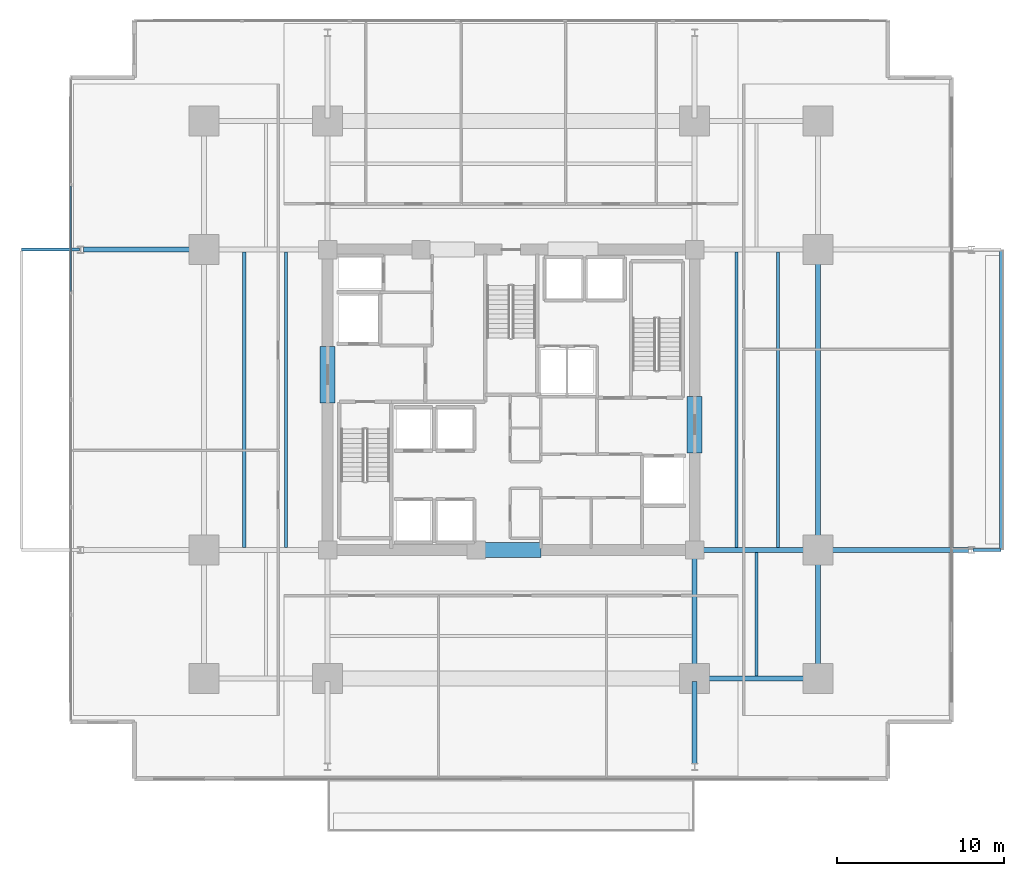
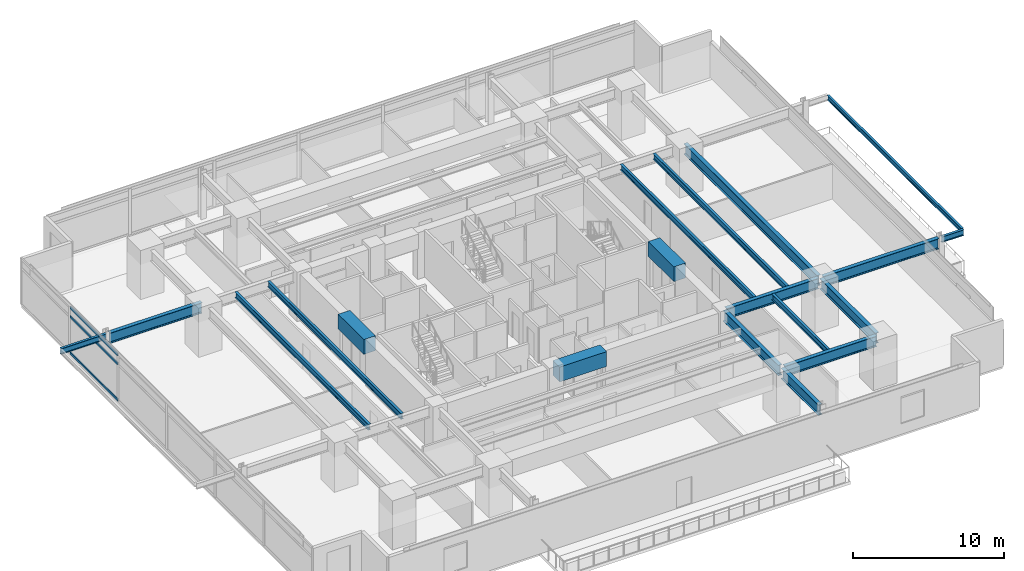
# One storey, part 6 of 24: 19 beams, 3 members, 1 element without a shape of its own.
"""IFC4 building model written with IfcOpenShell, lengths in metres."""

import ifcopenshell
import ifcopenshell.guid

model = None  # the IFC model being written
_history = None  # IfcOwnerHistory: only IFC2X3 demands one
_inside = {}  # id of a spatial element -> (the spatial element, [elements in it])
_under = {}  # id of a project, library or spatial element -> (it, [spatial elements below it])
_declared = {}  # id of a project -> (the project, [libraries it declares])
_typed = {}  # id of a type object -> (the type object, [elements of that type])
_made_of = {}  # id of a material, layer set ... -> (it, [elements and type objects made of it])


def new_model(schema):
    """Start an empty IFC model of exactly this schema.

    Asked for "IFC4X3", IfcOpenShell would pick the latest addendum, in which some entities
    have other attributes; the version numbers below select the first issue.
    IFC2X3 requires an IfcOwnerHistory on every rooted entity: one is made here for all.
    """
    global model, _history
    if schema == "IFC4X3":
        model = ifcopenshell.file(schema_version=(4, 3, 0, 0))
    else:
        model = ifcopenshell.file(schema=schema)
    _inside.clear()
    _under.clear()
    _declared.clear()
    _typed.clear()
    _made_of.clear()
    _history = None
    if model.schema == "IFC2X3":
        org = make("IfcOrganization", Name="unknown")
        user = make(
            "IfcPersonAndOrganization",
            ThePerson=make("IfcPerson", FamilyName="unknown"),
            TheOrganization=org,
        )
        app = make(
            "IfcApplication",
            ApplicationDeveloper=org,
            Version="unknown",
            ApplicationFullName="unknown",
            ApplicationIdentifier="unknown",
        )
        _history = make(
            "IfcOwnerHistory",
            OwningUser=user,
            OwningApplication=app,
            ChangeAction="ADDED",
            CreationDate=0,
        )
    return model


def make(cls, **values):
    """One entity of the class cls with the attributes given. An attribute that is None is left unset."""
    return model.create_entity(
        cls, **{name: value for name, value in values.items() if value is not None}
    )


def rooted(cls, **values):
    """An entity with a GlobalId (a new one), such as an element, a storey or a relation."""
    return make(cls, GlobalId=ifcopenshell.guid.new(), OwnerHistory=_history, **values)


def si_unit(unit_type, name, prefix=None):
    """IfcSIUnit, for example si_unit("LENGTHUNIT", "METRE", prefix="MILLI")."""
    return make("IfcSIUnit", UnitType=unit_type, Prefix=prefix, Name=name)


def assignment(units):
    """IfcUnitAssignment: the units of a project."""
    return None if units is None else make("IfcUnitAssignment", Units=units)


def point(xyz):
    """IfcCartesianPoint."""
    return None if xyz is None else make("IfcCartesianPoint", Coordinates=xyz)


def direction(xyz):
    """IfcDirection."""
    return None if xyz is None else make("IfcDirection", DirectionRatios=xyz)


def frame(location, z_axis=None, x_axis=None):
    """IfcAxis2Placement3D, a coordinate frame: its origin and axes. An axis left out is left unset."""
    return make(
        "IfcAxis2Placement3D",
        Location=point(location),
        Axis=direction(z_axis),
        RefDirection=direction(x_axis),
    )


def frame_2d(location, x_axis=None):
    """IfcAxis2Placement2D, a coordinate frame in the plane: its origin and x axis."""
    return make(
        "IfcAxis2Placement2D", Location=point(location), RefDirection=direction(x_axis)
    )


def origin():
    """The frame at (0, 0, 0) with its axes left unset."""
    return frame((0.0, 0.0, 0.0))


def origin_2d():
    """The frame at (0, 0) in the plane with its x axis left unset."""
    return frame_2d((0.0, 0.0))


def place(relative_to, where):
    """IfcLocalPlacement: puts the frame where relative to a parent placement (None: the world)."""
    return make(
        "IfcLocalPlacement", PlacementRelTo=relative_to, RelativePlacement=where
    )


def context(
    kind, dimensions, precision=None, world=None, true_north=None, identifier=None
):
    """IfcGeometricRepresentationContext, for example the 3D "Model" context."""
    return make(
        "IfcGeometricRepresentationContext",
        ContextIdentifier=identifier,
        ContextType=kind,
        CoordinateSpaceDimension=dimensions,
        Precision=precision,
        WorldCoordinateSystem=world,
        TrueNorth=true_north,
    )


def subcontext(parent, identifier, kind, view, scale=None):
    """IfcGeometricRepresentationSubContext, for example "Body" below "Model"."""
    return make(
        "IfcGeometricRepresentationSubContext",
        ContextIdentifier=identifier,
        ContextType=kind,
        ParentContext=parent,
        TargetScale=scale,
        TargetView=view,
    )


def project(units=None, contexts=None):
    """IfcProject with its units and contexts."""
    return rooted(
        "IfcProject",
        Name="project",
        RepresentationContexts=contexts,
        UnitsInContext=assignment(units),
    )


def spatial(cls, under=None, at=None, **own):
    """A site, building, storey or space (cls), placed at a placement, below another one or the project."""
    s = rooted(cls, ObjectPlacement=at, **own)
    if under is not None:
        _under.setdefault(under.id(), (under, []))[1].append(s)
    return s


def profile(cls, at=None, kind="AREA", **sizes):
    """A parametric profile (cls). Its sizes go by their IFC names, for example OverallWidth=200.0."""
    return make(cls, ProfileType=kind, Position=at, **sizes)


def rectangle(**sizes):
    """IfcRectangleProfileDef."""
    return profile("IfcRectangleProfileDef", **sizes)


def hollow_rectangle(**sizes):
    """IfcRectangleHollowProfileDef."""
    return profile("IfcRectangleHollowProfileDef", **sizes)


def i_section(**sizes):
    """IfcIShapeProfileDef."""
    return profile("IfcIShapeProfileDef", **sizes)


def extrude(swept, where, along, depth):
    """IfcExtrudedAreaSolid: the profile swept, set in the frame where, extruded along a direction by depth."""
    return make(
        "IfcExtrudedAreaSolid",
        SweptArea=swept,
        Position=where,
        ExtrudedDirection=direction(along),
        Depth=depth,
    )


def shape(context_of_items, identifier, shape_type, items):
    """IfcShapeRepresentation: the items that make up one representation, for example the "Body"."""
    return make(
        "IfcShapeRepresentation",
        ContextOfItems=context_of_items,
        RepresentationIdentifier=identifier,
        RepresentationType=shape_type,
        Items=items,
    )


def material(Name=None, Category=None):
    """IfcMaterial."""
    return make("IfcMaterial", Name=Name, Category=Category)


def material_profile(
    of_material, cross_section, Name=None, Category=None, Priority=None
):
    """IfcMaterialProfile: a cross section and its material."""
    return make(
        "IfcMaterialProfile",
        Name=Name,
        Material=of_material,
        Profile=cross_section,
        Priority=Priority,
        Category=Category,
    )


def profile_set(profiles, Name=None, composite=None):
    """IfcMaterialProfileSet."""
    return make(
        "IfcMaterialProfileSet",
        Name=Name,
        MaterialProfiles=profiles,
        CompositeProfile=composite,
    )


def made_of(thing, what):
    """Note that an element or type object is made of a material, layer set ...; save() writes the relation."""
    if what is not None:
        _made_of.setdefault(what.id(), (what, []))[1].append(thing)
    return thing


def type_object(cls, material=None, **own):
    """A type object (cls), such as IfcWallType, which elements share."""
    return made_of(rooted(cls, **own), material)


def element(
    cls,
    number,
    at=None,
    inside=None,
    cuts=None,
    type_object=None,
    material=None,
    context=None,
    identifier="Body",
    shape_type=None,
    held_by="IfcProductDefinitionShape",
    body=None,
    shapes=None,
    **own,
):
    """One element of the class cls, such as IfcWall. Its Tag is "e" and its number.

    at: its placement. inside: the storey or other place that contains it. cuts: it is an
    opening in that element (IfcRelVoidsElement). A single representation is given by context,
    identifier, shape_type and body (its items); several are given by shapes. held_by: the class
    of the entity that holds the representations. save() writes the other relations.
    """
    e = rooted(cls, Tag="e%d" % number, ObjectPlacement=at, **own)
    if body is not None:
        shapes = [shape(context, identifier, shape_type, body)]
    if shapes is not None:
        e.Representation = make(held_by, Representations=shapes)
    if inside is not None:
        _inside.setdefault(inside.id(), (inside, []))[1].append(e)
    if cuts is not None:
        rooted(
            "IfcRelVoidsElement", RelatingBuildingElement=cuts, RelatedOpeningElement=e
        )
    if type_object is not None:
        _typed.setdefault(type_object.id(), (type_object, []))[1].append(e)
    return made_of(e, material)


def aggregate(whole, parts):
    """IfcRelAggregates: a whole, such as a stair, and the parts it consists of."""
    return rooted("IfcRelAggregates", RelatingObject=whole, RelatedObjects=parts)


def save(model, path):
    """Write the relations noted so far, then the file.

    IfcRelAggregates (storeys below a building ...), IfcRelContainedInSpatialStructure (elements
    in a storey), IfcRelDefinesByType, IfcRelAssociatesMaterial and IfcRelDeclares: one each for
    every whole, place, type object, material and project.
    """
    for whole, parts in _under.values():
        aggregate(whole, parts)
    for where, things in _inside.values():
        rooted(
            "IfcRelContainedInSpatialStructure",
            RelatedElements=things,
            RelatingStructure=where,
        )
    for kind, things in _typed.values():
        rooted("IfcRelDefinesByType", RelatedObjects=things, RelatingType=kind)
    for what, things in _made_of.values():
        rooted("IfcRelAssociatesMaterial", RelatedObjects=things, RelatingMaterial=what)
    for by, libraries in _declared.values():
        rooted("IfcRelDeclares", RelatingContext=by, RelatedDefinitions=libraries)
    model.write(path)


model = new_model("IFC4")

# Units and contexts
model_context = context("Model", 3, precision=1e-05, world=origin(), true_north=direction((0.0, 1.0)))
body_context = subcontext(model_context, "Body", "Model", "MODEL_VIEW")
ifc_project = project(units=[si_unit("LENGTHUNIT", "METRE"), si_unit("AREAUNIT", "SQUARE_METRE"), si_unit("VOLUMEUNIT", "CUBIC_METRE"), si_unit("PLANEANGLEUNIT", "RADIAN"), si_unit("MASSUNIT", "GRAM", prefix="KILO")], contexts=[model_context])

# Site, building, storey
site_placement = place(None, origin())
site = spatial("IfcSite", under=ifc_project, at=site_placement, CompositionType="ELEMENT")
building_placement = place(site_placement, origin())
building = spatial("IfcBuilding", under=site, at=building_placement, Name="Kovane Verandah Tower", CompositionType="ELEMENT")
storey_placement = place(building_placement, frame((0.0, 0.0, 95.60009765625)))
storey = spatial("IfcBuildingStorey", under=building, at=storey_placement, Name="L22", CompositionType="ELEMENT", Elevation=95.60009765625)

# Beams
ifc_material_1 = material(Name="Concrete C80/95", Category="concrete")
ifc_material_profile_1 = material_profile(ifc_material_1, rectangle(XDim=0.89990234375, YDim=1.199951171875, at=origin_2d()), Name="RCB900x1200")
ifc_profile_set_1 = profile_set([ifc_material_profile_1], Name="Concrete C80/95")
beam_type_1 = type_object("IfcBeamType", Name="BM-LINTEL-900x1200", PredefinedType="LINTEL", material=ifc_profile_set_1)
beam_1_placement = place(storey_placement, frame((38.199951171875, 18.5, 3.159912109375), z_axis=(1.0, 0.0, 0.0), x_axis=(0.0, 1.0, 0.0)))
element("IfcBeam", 1, at=beam_1_placement, inside=storey, type_object=beam_type_1, Name="L22 Core Coupling Lintel CL-S", PredefinedType="LINTEL", context=body_context, shape_type="SweptSolid", body=[
    extrude(rectangle(XDim=0.89990234375, YDim=1.199951171875, at=origin_2d()), origin(), (0.0, 0.0, 1.0), 3.60009765625),
])
for number, where, z_axis, x_axis, name in (
    (2, (29.0, 27.300048828125, 3.159912109375), (0.0, 1.0, 0.0), (-1.0, 0.0, 0.0), "L22 Core Coupling Lintel CL-W"),
    (3, (51.0, 24.300048828125, 3.159912109375), (0.0, 1.0, 0.0), (-1.0, 0.0, 0.0), "L22 Core Coupling Lintel CL-E"),
):
    element("IfcBeam", number, at=place(storey_placement, frame(where, z_axis=z_axis, x_axis=x_axis)), inside=storey, type_object=beam_type_1, Name=name, PredefinedType="LINTEL", context=body_context, shape_type="SweptSolid", body=[
        extrude(rectangle(XDim=0.89990234375, YDim=1.199951171875, at=origin_2d()), origin(), (0.0, 0.0, 1.0), 3.39990234375),
    ])
ifc_material_2 = material(Name="Steel S355", Category="steel")
ifc_material_profile_2 = material_profile(ifc_material_2, i_section(OverallWidth=0.293701171875, OverallDepth=0.850830078125, WebThickness=0.01611328125, FlangeThickness=0.02685546875, FilletRadius=0.017822265625, at=origin_2d()), Name="UB838x292x226")
ifc_profile_set_2 = profile_set([ifc_material_profile_2], Name="Steel S355")
beam_type_2 = type_object("IfcBeamType", Name="BM-UB838x226", PredefinedType="BEAM", material=ifc_profile_set_2)
beam_2_placement = place(storey_placement, frame((51.179931640625, 10.800048828125, 3.33447265625), z_axis=(1.0, 0.0, 0.0), x_axis=(0.0, 1.0, 0.0)))
element("IfcBeam", 4, at=beam_2_placement, inside=storey, type_object=beam_type_2, Name="L22 Primary Tower Girder G-RS3", PredefinedType="BEAM", context=body_context, shape_type="SweptSolid", body=[
    extrude(i_section(OverallWidth=0.293701171875, OverallDepth=0.850830078125, WebThickness=0.01611328125, FlangeThickness=0.02685546875, FilletRadius=0.017822265625, at=origin_2d()), origin(), (0.0, 0.0, 1.0), 7.0400390625),
])
beam_3_placement = place(storey_placement, frame((58.39990234375, 10.97998046875, 3.33447265625), z_axis=(0.0, 1.0, 0.0), x_axis=(-1.0, 0.0, 0.0)))
element("IfcBeam", 5, at=beam_3_placement, inside=storey, type_object=beam_type_2, Name="L22 Primary Tower Girder G-RE1", PredefinedType="BEAM", context=body_context, shape_type="SweptSolid", body=[
    extrude(i_section(OverallWidth=0.293701171875, OverallDepth=0.850830078125, WebThickness=0.01611328125, FlangeThickness=0.02685546875, FilletRadius=0.017822265625, at=origin_2d()), origin(), (0.0, 0.0, 1.0), 7.340087890625),
])
beam_4_placement = place(storey_placement, frame((58.39990234375, 18.679931640625, 3.33447265625), z_axis=(0.0, 1.0, 0.0), x_axis=(-1.0, 0.0, 0.0)))
element("IfcBeam", 6, at=beam_4_placement, inside=storey, type_object=beam_type_2, Name="L22 Primary Tower Girder G-RE2", PredefinedType="BEAM", context=body_context, shape_type="SweptSolid", body=[
    extrude(i_section(OverallWidth=0.293701171875, OverallDepth=0.850830078125, WebThickness=0.01611328125, FlangeThickness=0.02685546875, FilletRadius=0.017822265625, at=origin_2d()), origin(), (0.0, 0.0, 1.0), 17.64013671875),
])
beam_5_placement = place(storey_placement, frame((51.179931640625, 18.5, 3.33447265625), z_axis=(1.0, 0.0, 0.0), x_axis=(0.0, 1.0, 0.0)))
element("IfcBeam", 7, at=beam_5_placement, inside=storey, type_object=beam_type_2, Name="L22 Primary Tower Girder G-E1", PredefinedType="BEAM", context=body_context, shape_type="SweptSolid", body=[
    extrude(i_section(OverallWidth=0.293701171875, OverallDepth=0.850830078125, WebThickness=0.01611328125, FlangeThickness=0.02685546875, FilletRadius=0.017822265625, at=origin_2d()), origin(), (0.0, 0.0, 1.0), 7.0400390625),
])
beam_6_placement = place(storey_placement, frame((51.0, 18.320068359375, 3.33447265625), z_axis=(0.0, -1.0, 0.0), x_axis=(1.0, 0.0, 0.0)))
element("IfcBeam", 8, at=beam_6_placement, inside=storey, type_object=beam_type_2, Name="L22 Primary Tower Girder G-S2", PredefinedType="BEAM", context=body_context, shape_type="SweptSolid", body=[
    extrude(i_section(OverallWidth=0.293701171875, OverallDepth=0.850830078125, WebThickness=0.01611328125, FlangeThickness=0.02685546875, FilletRadius=0.017822265625, at=origin_2d()), origin(), (0.0, 0.0, 1.0), 7.340087890625),
])
beam_7_placement = place(storey_placement, frame((21.419921875, 36.5, 3.33447265625), z_axis=(-1.0, 0.0, 0.0), x_axis=(0.0, -1.0, 0.0)))
element("IfcBeam", 9, at=beam_7_placement, inside=storey, type_object=beam_type_2, Name="L22 Primary Tower Girder G-VW2", PredefinedType="BEAM", context=body_context, shape_type="SweptSolid", body=[
    extrude(i_section(OverallWidth=0.293701171875, OverallDepth=0.850830078125, WebThickness=0.01611328125, FlangeThickness=0.02685546875, FilletRadius=0.017822265625, at=origin_2d()), origin(), (0.0, 0.0, 1.0), 7.0400390625),
])
beam_8_placement = place(storey_placement, frame((58.580078125, 18.5, 3.33447265625), z_axis=(1.0, 0.0, 0.0), x_axis=(0.0, 1.0, 0.0)))
element("IfcBeam", 10, at=beam_8_placement, inside=storey, type_object=beam_type_2, Name="L22 Primary Tower Girder G-VE1", PredefinedType="BEAM", context=body_context, shape_type="SweptSolid", body=[
    extrude(i_section(OverallWidth=0.293701171875, OverallDepth=0.850830078125, WebThickness=0.01611328125, FlangeThickness=0.02685546875, FilletRadius=0.017822265625, at=origin_2d()), origin(), (0.0, 0.0, 1.0), 8.83984375),
])
beam_9_placement = place(storey_placement, frame((51.0, 10.6201171875, 3.33447265625), z_axis=(0.0, -1.0, 0.0), x_axis=(1.0, 0.0, 0.0)))
element("IfcBeam", 11, at=beam_9_placement, inside=storey, type_object=beam_type_2, Name="L22 Primary Tower Girder G-VS2", PredefinedType="BEAM", context=body_context, shape_type="SweptSolid", body=[
    extrude(i_section(OverallWidth=0.293701171875, OverallDepth=0.850830078125, WebThickness=0.01611328125, FlangeThickness=0.02685546875, FilletRadius=0.017822265625, at=origin_2d()), origin(), (0.0, 0.0, 1.0), 4.940185546875),
])

# Curtain wall, members
ifc_material_3 = material(Name="Champagne Anodised Aluminium Frame with Low-E Clear Laminated Glass", Category="aluminium")
curtain_wall_type = type_object("IfcCurtainWallType", Name="CW-SYS-02-LOW", PredefinedType="NOTDEFINED", material=ifc_material_3)
curtain_wall_placement = place(storey_placement, origin())
curtain_wall = element("IfcCurtainWall", 12, at=curtain_wall_placement, inside=storey, type_object=curtain_wall_type, Name="L22 W Unitised Curtain Wall", PredefinedType="NOTDEFINED")
ifc_material_4 = material(Name="Champagne Anodised Aluminium 6063-T6", Category="aluminium")
ifc_material_profile_3 = material_profile(ifc_material_4, hollow_rectangle(XDim=0.0849609375, YDim=0.18994140625, WallThickness=0.00390625, at=origin_2d()), Name="AL85x190x4")
ifc_profile_set_3 = profile_set([ifc_material_profile_3], Name="Champagne Anodised Aluminium 6063-T6")
member_type = type_object("IfcMemberType", Name="CW-TRN-85x190", PredefinedType="USERDEFINED", material=ifc_profile_set_3)
member_1_placement = place(storey_placement, frame((13.613037109375, 40.323974609375, 0.0498046875), z_axis=(0.0, -1.0, 0.0), x_axis=(1.0, 0.0, 0.0)))
member_1 = element("IfcMember", 13, at=member_1_placement, type_object=member_type, Name="L22 W Unitised Curtain Wall Transom TB Bay 2", ObjectType="TRANSOM", PredefinedType="USERDEFINED", context=body_context, shape_type="SweptSolid", body=[
    extrude(hollow_rectangle(XDim=0.0849609375, YDim=0.18994140625, WallThickness=0.00390625, at=origin_2d()), origin(), (0.0, 0.0, 1.0), 6.3369140625),
])
member_2_placement = place(storey_placement, frame((13.613037109375, 40.323974609375, 2.97998046875), z_axis=(0.0, -1.0, 0.0), x_axis=(1.0, 0.0, 0.0)))
member_2 = element("IfcMember", 14, at=member_2_placement, type_object=member_type, Name="L22 W Unitised Curtain Wall Transom TM Bay 2", ObjectType="TRANSOM", PredefinedType="USERDEFINED", context=body_context, shape_type="SweptSolid", body=[
    extrude(hollow_rectangle(XDim=0.0849609375, YDim=0.18994140625, WallThickness=0.00390625, at=origin_2d()), origin(), (0.0, 0.0, 1.0), 6.3369140625),
])
member_3_placement = place(storey_placement, frame((13.613037109375, 40.323974609375, 3.7099609375), z_axis=(0.0, -1.0, 0.0), x_axis=(1.0, 0.0, 0.0)))
member_3 = element("IfcMember", 15, at=member_3_placement, type_object=member_type, Name="L22 W Unitised Curtain Wall Transom TT Bay 2", ObjectType="TRANSOM", PredefinedType="USERDEFINED", context=body_context, shape_type="SweptSolid", body=[
    extrude(hollow_rectangle(XDim=0.0849609375, YDim=0.18994140625, WallThickness=0.00390625, at=origin_2d()), origin(), (0.0, 0.0, 1.0), 6.3369140625),
])
aggregate(curtain_wall, [member_1, member_2, member_3])

# Beams
ifc_material_profile_4 = material_profile(ifc_material_2, i_section(OverallWidth=0.19287109375, OverallDepth=0.46728515625, WebThickness=0.011474609375, FlangeThickness=0.01953125, FilletRadius=0.01025390625, at=origin_2d()), Name="UB457x191x98")
ifc_profile_set_4 = profile_set([ifc_material_profile_4], Name="Steel S355")
beam_type_3 = type_object("IfcBeamType", Name="JST-UB457x98", PredefinedType="JOIST", material=ifc_profile_set_4)
for number, where, z_axis, x_axis, name in (
    (16, (24.0, 18.64501953125, 3.5263671875), (0.0, 1.0, 0.0), (-1.0, 0.0, 0.0), "L22 Secondary Composite Joist J-W1"),
    (17, (26.5, 18.64501953125, 3.5263671875), (0.0, 1.0, 0.0), (-1.0, 0.0, 0.0), "L22 Secondary Composite Joist J-W2"),
    (18, (53.5, 18.64501953125, 3.5263671875), (0.0, 1.0, 0.0), (-1.0, 0.0, 0.0), "L22 Secondary Composite Joist J-E1"),
    (19, (56.0, 18.64501953125, 3.5263671875), (0.0, 1.0, 0.0), (-1.0, 0.0, 0.0), "L22 Secondary Composite Joist J-E2"),
):
    element("IfcBeam", number, at=place(storey_placement, frame(where, z_axis=z_axis, x_axis=x_axis)), inside=storey, type_object=beam_type_3, Name=name, PredefinedType="JOIST", context=body_context, shape_type="SweptSolid", body=[
        extrude(i_section(OverallWidth=0.19287109375, OverallDepth=0.46728515625, WebThickness=0.011474609375, FlangeThickness=0.01953125, FilletRadius=0.01025390625, at=origin_2d()), origin(), (0.0, 0.0, 1.0), 17.7099609375),
    ])
beam_10_placement = place(storey_placement, frame((54.699951171875, 10.94482421875, 3.5263671875), z_axis=(0.0, 1.0, 0.0), x_axis=(-1.0, 0.0, 0.0)))
element("IfcBeam", 20, at=beam_10_placement, inside=storey, type_object=beam_type_3, Name="L22 Secondary Composite Joist J-SE1", PredefinedType="JOIST", context=body_context, shape_type="SweptSolid", body=[
    extrude(i_section(OverallWidth=0.19287109375, OverallDepth=0.46728515625, WebThickness=0.011474609375, FlangeThickness=0.01953125, FilletRadius=0.01025390625, at=origin_2d()), origin(), (0.0, 0.0, 1.0), 7.41015625),
])
beam_11_placement = place(storey_placement, frame((67.679931640625, 18.5, 3.5263671875), z_axis=(1.0, 0.0, 0.0), x_axis=(0.0, 1.0, 0.0)))
element("IfcBeam", 21, at=beam_11_placement, inside=storey, type_object=beam_type_3, Name="L22 East Planter Girder 1", PredefinedType="JOIST", context=body_context, shape_type="SweptSolid", body=[
    extrude(i_section(OverallWidth=0.19287109375, OverallDepth=0.46728515625, WebThickness=0.011474609375, FlangeThickness=0.01953125, FilletRadius=0.01025390625, at=origin_2d()), origin(), (0.0, 0.0, 1.0), 1.668701171875),
])
beam_12_placement = place(storey_placement, frame((14.1201171875, 36.5, 3.5263671875), z_axis=(-1.0, 0.0, 0.0), x_axis=(0.0, -1.0, 0.0)))
element("IfcBeam", 22, at=beam_12_placement, inside=storey, type_object=beam_type_3, Name="L22 West Planter Girder 2", PredefinedType="JOIST", context=body_context, shape_type="SweptSolid", body=[
    extrude(i_section(OverallWidth=0.19287109375, OverallDepth=0.46728515625, WebThickness=0.011474609375, FlangeThickness=0.01953125, FilletRadius=0.01025390625, at=origin_2d()), origin(), (0.0, 0.0, 1.0), 3.46875),
])
ifc_material_profile_5 = material_profile(ifc_material_2, i_section(OverallWidth=0.173095703125, OverallDepth=0.36328125, WebThickness=0.009033203125, FlangeThickness=0.015625, FilletRadius=0.01025390625, at=origin_2d()), Name="UB356x171x67")
ifc_profile_set_5 = profile_set([ifc_material_profile_5], Name="Steel S355")
beam_type_4 = type_object("IfcBeamType", Name="SPD-UB356x67", PredefinedType="USERDEFINED", material=ifc_profile_set_5)
beam_13_placement = place(storey_placement, frame((69.3486328125, 18.594482421875, 3.578125), z_axis=(0.0, 1.0, 0.0), x_axis=(-1.0, 0.0, 0.0)))
element("IfcBeam", 23, at=beam_13_placement, inside=storey, type_object=beam_type_4, Name="L22 East Planter Edge Spandrel", ObjectType="SPANDREL", PredefinedType="USERDEFINED", context=body_context, shape_type="SweptSolid", body=[
    extrude(i_section(OverallWidth=0.173095703125, OverallDepth=0.36328125, WebThickness=0.009033203125, FlangeThickness=0.015625, FilletRadius=0.01025390625, at=origin_2d()), origin(), (0.0, 0.0, 1.0), 17.81103515625),
])

save(model, "model.ifc")
